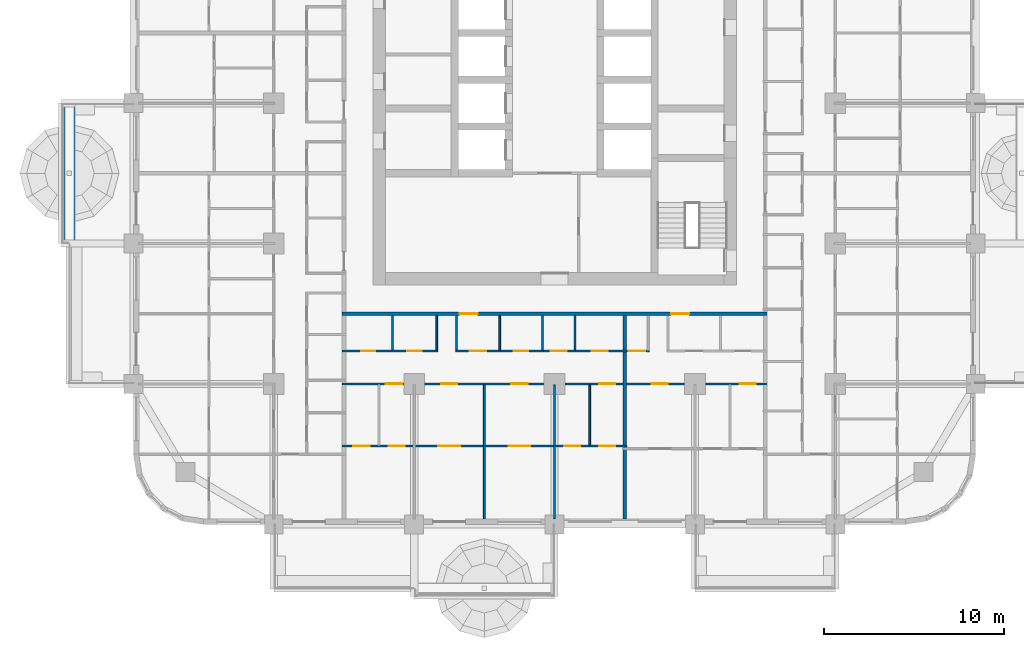
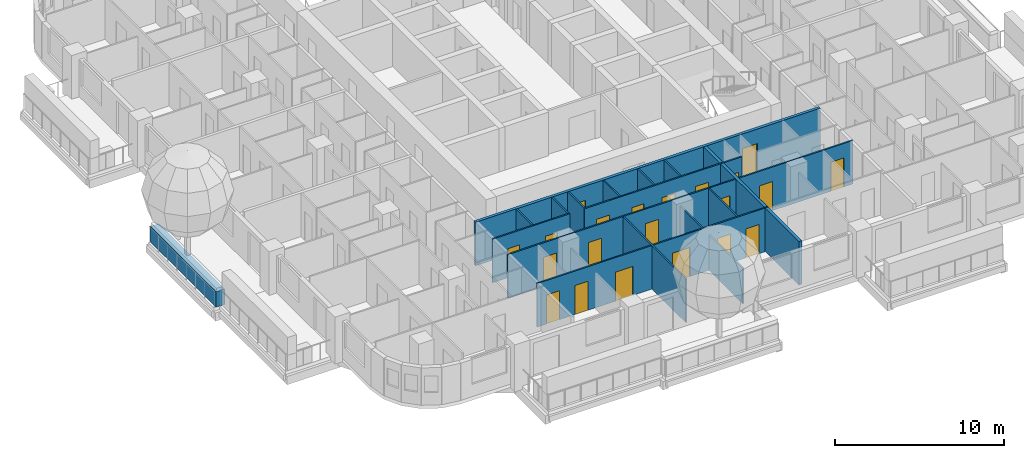
# One storey, part 4 of 18: 21 doors, 16 walls, 21 openings.
"""IFC4 building model written with IfcOpenShell, lengths in metres."""

from ifc_helpers import new_model, si_unit, direction, frame, frame_2d, origin, place, context, subcontext, project, spatial, rectangle, extrude, material, layer, layer_set, type_object, element, fill, save


model = new_model("IFC4")

# Units and contexts
model_context = context("Model", 3, precision=1e-05, world=origin(), true_north=direction((0.0, 1.0)))
body_context = subcontext(model_context, "Body", "Model", "MODEL_VIEW")
ifc_project = project(units=[si_unit("LENGTHUNIT", "METRE"), si_unit("AREAUNIT", "SQUARE_METRE"), si_unit("VOLUMEUNIT", "CUBIC_METRE"), si_unit("PLANEANGLEUNIT", "RADIAN"), si_unit("MASSUNIT", "GRAM", prefix="KILO")], contexts=[model_context])

# Site, building, storey
site_placement = place(None, origin())
site = spatial("IfcSite", under=ifc_project, at=site_placement, CompositionType="ELEMENT")
building_placement = place(site_placement, origin())
building = spatial("IfcBuilding", under=site, at=building_placement, Name="Ludao Terraces", CompositionType="ELEMENT")
storey_placement = place(building_placement, frame((0.0, 0.0, 26.300048828125)))
storey = spatial("IfcBuildingStorey", under=building, at=storey_placement, Name="L06", CompositionType="ELEMENT", Elevation=26.300048828125)

# Wall
ifc_material_1 = material(Name="Concrete C40", Category="concrete")
ifc_layer_1 = layer(ifc_material_1, 0.60009765625)
ifc_layer_set_1 = layer_set([ifc_layer_1], Name="ENV Planter trough 600")
wall_type_1 = type_object("IfcWallType", Name="ENV Planter trough 600", PredefinedType="USERDEFINED", material=ifc_layer_set_1)
wall_1_placement = place(storey_placement, frame((58.050048828125, 57.199951171875, 0.0), z_axis=(0.0, 0.0, 1.0), x_axis=(0.0, 1.0, 0.0)))
element("IfcWall", 1, at=wall_1_placement, inside=storey, type_object=wall_type_1, Name="PL-L06-W2", ObjectType="PLANTER", PredefinedType="USERDEFINED", context=body_context, shape_type="SweptSolid", body=[
    extrude(rectangle(XDim=7.800048828125, YDim=0.60009765625, at=frame_2d((3.89990234375, 0.0))), origin(), (0.0, 0.0, 1.0), 1.099853515625),
])

# Wall, openings, doors
ifc_material_2 = material(Name="Autoclaved aerated concrete block B06 A3.5", Category="concrete")
ifc_layer_2 = layer(ifc_material_2, 0.199951171875)
ifc_layer_set_2 = layer_set([ifc_layer_2], Name="INT Entrance wall 200")
wall_type_2 = type_object("IfcWallType", Name="INT Entrance wall 200", PredefinedType="PARTITIONING", material=ifc_layer_set_2)
wall_2_placement = place(storey_placement, frame((73.2001953125, 53.300048828125, 0.0), z_axis=(0.0, 0.0, 1.0), x_axis=(1.0, 0.0, 0.0)))
wall_2 = element("IfcWall", 2, at=wall_2_placement, inside=storey, type_object=wall_type_2, Name="PW-L06-PW017", PredefinedType="PARTITIONING", context=body_context, shape_type="SweptSolid", body=[
    extrude(rectangle(XDim=23.599853515625, YDim=0.199951171875, at=frame_2d((11.7998046875, 0.0))), origin(), (0.0, 0.0, 1.0), 3.14990234375),
])
opening_1_placement = place(wall_2_placement, frame((6.52490234375, 0.0, 0.0)))
opening_1 = element("IfcOpeningElement", 3, at=opening_1_placement, cuts=wall_2, Name="Opening R01-047", PredefinedType="OPENING", context=body_context, shape_type="SweptSolid", body=[
    extrude(rectangle(XDim=1.0, YDim=2.10009765625, at=frame_2d((0.5, 1.050048828125))), frame((0.0, 0.10986328125, 0.0), z_axis=(0.0, -1.0, 0.0), x_axis=(1.0, 0.0, 0.0)), (0.0, 0.0, 1.0), 0.219970703125),
])
opening_2_placement = place(wall_2_placement, frame((18.27490234375, 0.0, 0.0)))
opening_2 = element("IfcOpeningElement", 4, at=opening_2_placement, cuts=wall_2, Name="Opening R01-048", PredefinedType="OPENING", context=body_context, shape_type="SweptSolid", body=[
    extrude(rectangle(XDim=1.0, YDim=2.10009765625, at=frame_2d((0.5, 1.050048828125))), frame((0.0, 0.10986328125, 0.0), z_axis=(0.0, -1.0, 0.0), x_axis=(1.0, 0.0, 0.0)), (0.0, 0.0, 1.0), 0.219970703125),
])
ifc_material_3 = material(Name="Steel Q235", Category="steel")
door_type_1 = type_object("IfcDoorType", Name="INT Flat entrance door 1000", OperationType="SINGLE_SWING_LEFT", PredefinedType="DOOR", material=ifc_material_3)
door_1_placement = place(opening_1_placement, origin())
door_1 = element("IfcDoor", 5, at=door_1_placement, inside=storey, type_object=door_type_1, Name="DOOR 047", OperationType="SINGLE_SWING_LEFT", OverallHeight=2.10009765625, OverallWidth=1.0, PredefinedType="DOOR", context=body_context, shape_type="SweptSolid", body=[
    extrude(rectangle(XDim=1.0, YDim=2.10009765625, at=frame_2d((0.5, 1.050048828125))), frame((0.0, 0.02490234375, 0.0), z_axis=(0.0, -1.0, 0.0), x_axis=(1.0, 0.0, 0.0)), (0.0, 0.0, 1.0), 0.050048828125),
])
fill(opening_1, door_1)
door_2_placement = place(opening_2_placement, origin())
door_2 = element("IfcDoor", 6, at=door_2_placement, inside=storey, type_object=door_type_1, Name="DOOR 048", OperationType="SINGLE_SWING_LEFT", OverallHeight=2.10009765625, OverallWidth=1.0, PredefinedType="DOOR", context=body_context, shape_type="SweptSolid", body=[
    extrude(rectangle(XDim=1.0, YDim=2.10009765625, at=frame_2d((0.5, 1.050048828125))), frame((0.0, 0.02490234375, 0.0), z_axis=(0.0, -1.0, 0.0), x_axis=(1.0, 0.0, 0.0)), (0.0, 0.0, 1.0), 0.050048828125),
])
fill(opening_2, door_2)

ifc_material_4 = material(Name="Gypsum plasterboard", Category="gypsum")
ifc_layer_3 = layer(ifc_material_4, 0.012451171875, Category="gypsum")
ifc_material_5 = material(Name="Mineral wool")
ifc_layer_4 = layer(ifc_material_5, 0.06005859375, Name="insulation")
ifc_layer_5 = layer(ifc_material_3, 0.014892578125, Name="stud")
ifc_layer_6 = layer(ifc_material_4, 0.012451171875, Category="gypsum")
ifc_layer_set_3 = layer_set([ifc_layer_3, ifc_layer_4, ifc_layer_5, ifc_layer_6], Name="INT Partition 100")
wall_type_3 = type_object("IfcWallType", Name="INT Partition 100", PredefinedType="PARTITIONING", material=ifc_layer_set_3)
wall_3_placement = place(storey_placement, frame((73.2001953125, 45.949951171875, 0.0), z_axis=(0.0, 0.0, 1.0), x_axis=(1.0, 0.0, 0.0)))
wall_3 = element("IfcWall", 7, at=wall_3_placement, inside=storey, type_object=wall_type_3, Name="PW-L06-PW003", PredefinedType="PARTITIONING", context=body_context, shape_type="SweptSolid", body=[
    extrude(rectangle(XDim=15.7998046875, YDim=0.10009765625, at=frame_2d((7.89990234375, 0.0))), origin(), (0.0, 0.0, 1.0), 3.14990234375),
])
opening_3_placement = place(wall_3_placement, frame((0.625, 0.0, 0.0)))
opening_3 = element("IfcOpeningElement", 8, at=opening_3_placement, cuts=wall_3, Name="Opening R01-010", PredefinedType="OPENING", context=body_context, shape_type="SweptSolid", body=[
    extrude(rectangle(XDim=0.89990234375, YDim=2.10009765625, at=frame_2d((0.449951171875, 1.050048828125))), frame((0.0, 0.06005859375, 0.0), z_axis=(0.0, -1.0, 0.0), x_axis=(1.0, 0.0, 0.0)), (0.0, 0.0, 1.0), 0.1201171875),
])
opening_4_placement = place(wall_3_placement, frame((2.574951171875, 0.0, 0.0)))
opening_4 = element("IfcOpeningElement", 9, at=opening_4_placement, cuts=wall_3, Name="Opening R01-011", PredefinedType="OPENING", context=body_context, shape_type="SweptSolid", body=[
    extrude(rectangle(XDim=0.89990234375, YDim=2.10009765625, at=frame_2d((0.449951171875, 1.050048828125))), frame((0.0, 0.06005859375, 0.0), z_axis=(0.0, -1.0, 0.0), x_axis=(1.0, 0.0, 0.0)), (0.0, 0.0, 1.0), 0.1201171875),
])
opening_5_placement = place(wall_3_placement, frame((5.349853515625, 0.0, 0.0)))
opening_5 = element("IfcOpeningElement", 10, at=opening_5_placement, cuts=wall_3, Name="Opening R01-012", PredefinedType="OPENING", context=body_context, shape_type="SweptSolid", body=[
    extrude(rectangle(XDim=1.199951171875, YDim=2.10009765625, at=frame_2d((0.60009765625, 1.050048828125))), frame((0.0, 0.06005859375, 0.0), z_axis=(0.0, -1.0, 0.0), x_axis=(1.0, 0.0, 0.0)), (0.0, 0.0, 1.0), 0.1201171875),
])
opening_6_placement = place(wall_3_placement, frame((9.25, 0.0, 0.0)))
opening_6 = element("IfcOpeningElement", 11, at=opening_6_placement, cuts=wall_3, Name="Opening R01-013", PredefinedType="OPENING", context=body_context, shape_type="SweptSolid", body=[
    extrude(rectangle(XDim=1.199951171875, YDim=2.10009765625, at=frame_2d((0.60009765625, 1.050048828125))), frame((0.0, 0.06005859375, 0.0), z_axis=(0.0, -1.0, 0.0), x_axis=(1.0, 0.0, 0.0)), (0.0, 0.0, 1.0), 0.1201171875),
])
opening_7_placement = place(wall_3_placement, frame((12.324951171875, 0.0, 0.0)))
opening_7 = element("IfcOpeningElement", 12, at=opening_7_placement, cuts=wall_3, Name="Opening R01-014", PredefinedType="OPENING", context=body_context, shape_type="SweptSolid", body=[
    extrude(rectangle(XDim=0.89990234375, YDim=2.10009765625, at=frame_2d((0.449951171875, 1.050048828125))), frame((0.0, 0.06005859375, 0.0), z_axis=(0.0, -1.0, 0.0), x_axis=(1.0, 0.0, 0.0)), (0.0, 0.0, 1.0), 0.1201171875),
])
opening_8_placement = place(wall_3_placement, frame((14.27490234375, 0.0, 0.0)))
opening_8 = element("IfcOpeningElement", 13, at=opening_8_placement, cuts=wall_3, Name="Opening R01-015", PredefinedType="OPENING", context=body_context, shape_type="SweptSolid", body=[
    extrude(rectangle(XDim=0.89990234375, YDim=2.10009765625, at=frame_2d((0.449951171875, 1.050048828125))), frame((0.0, 0.06005859375, 0.0), z_axis=(0.0, -1.0, 0.0), x_axis=(1.0, 0.0, 0.0)), (0.0, 0.0, 1.0), 0.1201171875),
])
ifc_material_6 = material(Name="Timber door leaf", Category="wood")
door_type_2 = type_object("IfcDoorType", Name="INT Bathroom door 900", OperationType="SINGLE_SWING_LEFT", PredefinedType="DOOR", material=ifc_material_6)
door_3_placement = place(opening_3_placement, origin())
door_3 = element("IfcDoor", 14, at=door_3_placement, inside=storey, type_object=door_type_2, Name="DOOR 010", OperationType="SINGLE_SWING_LEFT", OverallHeight=2.10009765625, OverallWidth=0.89990234375, PredefinedType="DOOR", context=body_context, shape_type="SweptSolid", body=[
    extrude(rectangle(XDim=0.89990234375, YDim=2.10009765625, at=frame_2d((0.449951171875, 1.050048828125))), frame((0.0, 0.02490234375, 0.0), z_axis=(0.0, -1.0, 0.0), x_axis=(1.0, 0.0, 0.0)), (0.0, 0.0, 1.0), 0.050048828125),
])
fill(opening_3, door_3)
door_4_placement = place(opening_7_placement, origin())
door_4 = element("IfcDoor", 15, at=door_4_placement, inside=storey, type_object=door_type_2, Name="DOOR 014", OperationType="SINGLE_SWING_RIGHT", OverallHeight=2.10009765625, OverallWidth=0.89990234375, PredefinedType="DOOR", context=body_context, shape_type="SweptSolid", body=[
    extrude(rectangle(XDim=0.89990234375, YDim=2.10009765625, at=frame_2d((0.449951171875, 1.050048828125))), frame((0.0, 0.02490234375, 0.0), z_axis=(0.0, -1.0, 0.0), x_axis=(1.0, 0.0, 0.0)), (0.0, 0.0, 1.0), 0.050048828125),
])
fill(opening_7, door_4)
door_type_3 = type_object("IfcDoorType", Name="INT Double door 1200", OperationType="DOUBLE_DOOR_SINGLE_SWING", PredefinedType="DOOR", material=ifc_material_6)
door_5_placement = place(opening_5_placement, origin())
door_5 = element("IfcDoor", 16, at=door_5_placement, inside=storey, type_object=door_type_3, Name="DOOR 012", OperationType="DOUBLE_DOOR_SINGLE_SWING", OverallHeight=2.10009765625, OverallWidth=1.199951171875, PredefinedType="DOOR", context=body_context, shape_type="SweptSolid", body=[
    extrude(rectangle(XDim=1.199951171875, YDim=2.10009765625, at=frame_2d((0.60009765625, 1.050048828125))), frame((0.0, 0.02490234375, 0.0), z_axis=(0.0, -1.0, 0.0), x_axis=(1.0, 0.0, 0.0)), (0.0, 0.0, 1.0), 0.050048828125),
])
fill(opening_5, door_5)
door_6_placement = place(opening_6_placement, origin())
door_6 = element("IfcDoor", 17, at=door_6_placement, inside=storey, type_object=door_type_3, Name="DOOR 013", OperationType="DOUBLE_DOOR_SINGLE_SWING", OverallHeight=2.10009765625, OverallWidth=1.199951171875, PredefinedType="DOOR", context=body_context, shape_type="SweptSolid", body=[
    extrude(rectangle(XDim=1.199951171875, YDim=2.10009765625, at=frame_2d((0.60009765625, 1.050048828125))), frame((0.0, 0.02490234375, 0.0), z_axis=(0.0, -1.0, 0.0), x_axis=(1.0, 0.0, 0.0)), (0.0, 0.0, 1.0), 0.050048828125),
])
fill(opening_6, door_6)
door_type_4 = type_object("IfcDoorType", Name="INT Room door 900", OperationType="SINGLE_SWING_LEFT", PredefinedType="DOOR", material=ifc_material_6)
door_7_placement = place(opening_4_placement, origin())
door_7 = element("IfcDoor", 18, at=door_7_placement, inside=storey, type_object=door_type_4, Name="DOOR 011", OperationType="SINGLE_SWING_LEFT", OverallHeight=2.10009765625, OverallWidth=0.89990234375, PredefinedType="DOOR", context=body_context, shape_type="SweptSolid", body=[
    extrude(rectangle(XDim=0.89990234375, YDim=2.10009765625, at=frame_2d((0.449951171875, 1.050048828125))), frame((0.0, 0.02490234375, 0.0), z_axis=(0.0, -1.0, 0.0), x_axis=(1.0, 0.0, 0.0)), (0.0, 0.0, 1.0), 0.050048828125),
])
fill(opening_4, door_7)
door_8_placement = place(opening_8_placement, origin())
door_8 = element("IfcDoor", 19, at=door_8_placement, inside=storey, type_object=door_type_4, Name="DOOR 015", OperationType="SINGLE_SWING_RIGHT", OverallHeight=2.10009765625, OverallWidth=0.89990234375, PredefinedType="DOOR", context=body_context, shape_type="SweptSolid", body=[
    extrude(rectangle(XDim=0.89990234375, YDim=2.10009765625, at=frame_2d((0.449951171875, 1.050048828125))), frame((0.0, 0.02490234375, 0.0), z_axis=(0.0, -1.0, 0.0), x_axis=(1.0, 0.0, 0.0)), (0.0, 0.0, 1.0), 0.050048828125),
])
fill(opening_8, door_8)

wall_4_placement = place(storey_placement, frame((73.2001953125, 49.39990234375, 0.0), z_axis=(0.0, 0.0, 1.0), x_axis=(1.0, 0.0, 0.0)))
wall_4 = element("IfcWall", 20, at=wall_4_placement, inside=storey, type_object=wall_type_3, Name="PW-L06-PW008", PredefinedType="PARTITIONING", context=body_context, shape_type="SweptSolid", body=[
    extrude(rectangle(XDim=23.599853515625, YDim=0.10009765625, at=frame_2d((11.7998046875, 0.0))), origin(), (0.0, 0.0, 1.0), 3.14990234375),
])
opening_9_placement = place(wall_4_placement, frame((2.4248046875, 0.0, 0.0)))
opening_9 = element("IfcOpeningElement", 21, at=opening_9_placement, cuts=wall_4, Name="Opening R01-025", PredefinedType="OPENING", context=body_context, shape_type="SweptSolid", body=[
    extrude(rectangle(XDim=0.89990234375, YDim=2.10009765625, at=frame_2d((0.449951171875, 1.050048828125))), frame((0.0, 0.06005859375, 0.0), z_axis=(0.0, -1.0, 0.0), x_axis=(1.0, 0.0, 0.0)), (0.0, 0.0, 1.0), 0.1201171875),
])
opening_10_placement = place(wall_4_placement, frame((5.5, 0.0, 0.0)))
opening_10 = element("IfcOpeningElement", 22, at=opening_10_placement, cuts=wall_4, Name="Opening R01-026", PredefinedType="OPENING", context=body_context, shape_type="SweptSolid", body=[
    extrude(rectangle(XDim=0.89990234375, YDim=2.10009765625, at=frame_2d((0.449951171875, 1.050048828125))), frame((0.0, 0.06005859375, 0.0), z_axis=(0.0, -1.0, 0.0), x_axis=(1.0, 0.0, 0.0)), (0.0, 0.0, 1.0), 0.1201171875),
])
opening_11_placement = place(wall_4_placement, frame((9.39990234375, 0.0, 0.0)))
opening_11 = element("IfcOpeningElement", 23, at=opening_11_placement, cuts=wall_4, Name="Opening R01-027", PredefinedType="OPENING", context=body_context, shape_type="SweptSolid", body=[
    extrude(rectangle(XDim=0.89990234375, YDim=2.10009765625, at=frame_2d((0.449951171875, 1.050048828125))), frame((0.0, 0.06005859375, 0.0), z_axis=(0.0, -1.0, 0.0), x_axis=(1.0, 0.0, 0.0)), (0.0, 0.0, 1.0), 0.1201171875),
])
opening_12_placement = place(wall_4_placement, frame((14.27490234375, 0.0, 0.0)))
opening_12 = element("IfcOpeningElement", 24, at=opening_12_placement, cuts=wall_4, Name="Opening R01-028", PredefinedType="OPENING", context=body_context, shape_type="SweptSolid", body=[
    extrude(rectangle(XDim=0.89990234375, YDim=2.10009765625, at=frame_2d((0.449951171875, 1.050048828125))), frame((0.0, 0.06005859375, 0.0), z_axis=(0.0, -1.0, 0.0), x_axis=(1.0, 0.0, 0.0)), (0.0, 0.0, 1.0), 0.1201171875),
])
opening_13_placement = place(wall_4_placement, frame((17.199951171875, 0.0, 0.0)))
opening_13 = element("IfcOpeningElement", 25, at=opening_13_placement, cuts=wall_4, Name="Opening R01-029", PredefinedType="OPENING", context=body_context, shape_type="SweptSolid", body=[
    extrude(rectangle(XDim=0.89990234375, YDim=2.10009765625, at=frame_2d((0.449951171875, 1.050048828125))), frame((0.0, 0.06005859375, 0.0), z_axis=(0.0, -1.0, 0.0), x_axis=(1.0, 0.0, 0.0)), (0.0, 0.0, 1.0), 0.1201171875),
])
opening_14_placement = place(wall_4_placement, frame((22.074951171875, 0.0, 0.0)))
opening_14 = element("IfcOpeningElement", 26, at=opening_14_placement, cuts=wall_4, Name="Opening R01-030", PredefinedType="OPENING", context=body_context, shape_type="SweptSolid", body=[
    extrude(rectangle(XDim=0.89990234375, YDim=2.10009765625, at=frame_2d((0.449951171875, 1.050048828125))), frame((0.0, 0.06005859375, 0.0), z_axis=(0.0, -1.0, 0.0), x_axis=(1.0, 0.0, 0.0)), (0.0, 0.0, 1.0), 0.1201171875),
])
door_9_placement = place(opening_9_placement, origin())
door_9 = element("IfcDoor", 27, at=door_9_placement, inside=storey, type_object=door_type_4, Name="DOOR 025", OperationType="SINGLE_SWING_RIGHT", OverallHeight=2.10009765625, OverallWidth=0.89990234375, PredefinedType="DOOR", context=body_context, shape_type="SweptSolid", body=[
    extrude(rectangle(XDim=0.89990234375, YDim=2.10009765625, at=frame_2d((0.449951171875, 1.050048828125))), frame((0.0, 0.02490234375, 0.0), z_axis=(0.0, -1.0, 0.0), x_axis=(1.0, 0.0, 0.0)), (0.0, 0.0, 1.0), 0.050048828125),
])
fill(opening_9, door_9)
door_10_placement = place(opening_10_placement, origin())
door_10 = element("IfcDoor", 28, at=door_10_placement, inside=storey, type_object=door_type_4, Name="DOOR 026", OperationType="SINGLE_SWING_RIGHT", OverallHeight=2.10009765625, OverallWidth=0.89990234375, PredefinedType="DOOR", context=body_context, shape_type="SweptSolid", body=[
    extrude(rectangle(XDim=0.89990234375, YDim=2.10009765625, at=frame_2d((0.449951171875, 1.050048828125))), frame((0.0, 0.02490234375, 0.0), z_axis=(0.0, -1.0, 0.0), x_axis=(1.0, 0.0, 0.0)), (0.0, 0.0, 1.0), 0.050048828125),
])
fill(opening_10, door_10)
door_11_placement = place(opening_11_placement, origin())
door_11 = element("IfcDoor", 29, at=door_11_placement, inside=storey, type_object=door_type_4, Name="DOOR 027", OperationType="SINGLE_SWING_RIGHT", OverallHeight=2.10009765625, OverallWidth=0.89990234375, PredefinedType="DOOR", context=body_context, shape_type="SweptSolid", body=[
    extrude(rectangle(XDim=0.89990234375, YDim=2.10009765625, at=frame_2d((0.449951171875, 1.050048828125))), frame((0.0, 0.02490234375, 0.0), z_axis=(0.0, -1.0, 0.0), x_axis=(1.0, 0.0, 0.0)), (0.0, 0.0, 1.0), 0.050048828125),
])
fill(opening_11, door_11)
door_12_placement = place(opening_12_placement, origin())
door_12 = element("IfcDoor", 30, at=door_12_placement, inside=storey, type_object=door_type_4, Name="DOOR 028", OperationType="SINGLE_SWING_LEFT", OverallHeight=2.10009765625, OverallWidth=0.89990234375, PredefinedType="DOOR", context=body_context, shape_type="SweptSolid", body=[
    extrude(rectangle(XDim=0.89990234375, YDim=2.10009765625, at=frame_2d((0.449951171875, 1.050048828125))), frame((0.0, 0.02490234375, 0.0), z_axis=(0.0, -1.0, 0.0), x_axis=(1.0, 0.0, 0.0)), (0.0, 0.0, 1.0), 0.050048828125),
])
fill(opening_12, door_12)
door_13_placement = place(opening_13_placement, origin())
door_13 = element("IfcDoor", 31, at=door_13_placement, inside=storey, type_object=door_type_4, Name="DOOR 029", OperationType="SINGLE_SWING_RIGHT", OverallHeight=2.10009765625, OverallWidth=0.89990234375, PredefinedType="DOOR", context=body_context, shape_type="SweptSolid", body=[
    extrude(rectangle(XDim=0.89990234375, YDim=2.10009765625, at=frame_2d((0.449951171875, 1.050048828125))), frame((0.0, 0.02490234375, 0.0), z_axis=(0.0, -1.0, 0.0), x_axis=(1.0, 0.0, 0.0)), (0.0, 0.0, 1.0), 0.050048828125),
])
fill(opening_13, door_13)
door_14_placement = place(opening_14_placement, origin())
door_14 = element("IfcDoor", 32, at=door_14_placement, inside=storey, type_object=door_type_4, Name="DOOR 030", OperationType="SINGLE_SWING_LEFT", OverallHeight=2.10009765625, OverallWidth=0.89990234375, PredefinedType="DOOR", context=body_context, shape_type="SweptSolid", body=[
    extrude(rectangle(XDim=0.89990234375, YDim=2.10009765625, at=frame_2d((0.449951171875, 1.050048828125))), frame((0.0, 0.02490234375, 0.0), z_axis=(0.0, -1.0, 0.0), x_axis=(1.0, 0.0, 0.0)), (0.0, 0.0, 1.0), 0.050048828125),
])
fill(opening_14, door_14)

wall_5_placement = place(storey_placement, frame((73.2001953125, 51.22998046875, 0.0), z_axis=(0.0, 0.0, 1.0), x_axis=(1.0, 0.0, 0.0)))
wall_5 = element("IfcWall", 33, at=wall_5_placement, inside=storey, type_object=wall_type_3, Name="PW-L06-PW012", PredefinedType="PARTITIONING", context=body_context, shape_type="SweptSolid", body=[
    extrude(rectangle(XDim=5.2998046875, YDim=0.10009765625, at=frame_2d((2.64990234375, 0.0))), origin(), (0.0, 0.0, 1.0), 3.14990234375),
])
opening_15_placement = place(wall_5_placement, frame((1.0498046875, 0.0, 0.0)))
opening_15 = element("IfcOpeningElement", 34, at=opening_15_placement, cuts=wall_5, Name="Opening R01-032", PredefinedType="OPENING", context=body_context, shape_type="SweptSolid", body=[
    extrude(rectangle(XDim=0.800048828125, YDim=2.10009765625, at=frame_2d((0.39990234375, 1.050048828125))), frame((0.0, 0.06005859375, 0.0), z_axis=(0.0, -1.0, 0.0), x_axis=(1.0, 0.0, 0.0)), (0.0, 0.0, 1.0), 0.1201171875),
])
opening_16_placement = place(wall_5_placement, frame((3.625, 0.0, 0.0)))
opening_16 = element("IfcOpeningElement", 35, at=opening_16_placement, cuts=wall_5, Name="Opening R01-033", PredefinedType="OPENING", context=body_context, shape_type="SweptSolid", body=[
    extrude(rectangle(XDim=0.800048828125, YDim=2.10009765625, at=frame_2d((0.39990234375, 1.050048828125))), frame((0.0, 0.06005859375, 0.0), z_axis=(0.0, -1.0, 0.0), x_axis=(1.0, 0.0, 0.0)), (0.0, 0.0, 1.0), 0.1201171875),
])
door_type_5 = type_object("IfcDoorType", Name="INT Store door 800", OperationType="SINGLE_SWING_LEFT", PredefinedType="DOOR", material=ifc_material_6)
door_15_placement = place(opening_15_placement, origin())
door_15 = element("IfcDoor", 36, at=door_15_placement, inside=storey, type_object=door_type_5, Name="DOOR 032", OperationType="SINGLE_SWING_LEFT", OverallHeight=2.10009765625, OverallWidth=0.800048828125, PredefinedType="DOOR", context=body_context, shape_type="SweptSolid", body=[
    extrude(rectangle(XDim=0.800048828125, YDim=2.10009765625, at=frame_2d((0.39990234375, 1.050048828125))), frame((0.0, 0.02490234375, 0.0), z_axis=(0.0, -1.0, 0.0), x_axis=(1.0, 0.0, 0.0)), (0.0, 0.0, 1.0), 0.050048828125),
])
fill(opening_15, door_15)
door_16_placement = place(opening_16_placement, origin())
door_16 = element("IfcDoor", 37, at=door_16_placement, inside=storey, type_object=door_type_5, Name="DOOR 033", OperationType="SINGLE_SWING_LEFT", OverallHeight=2.10009765625, OverallWidth=0.800048828125, PredefinedType="DOOR", context=body_context, shape_type="SweptSolid", body=[
    extrude(rectangle(XDim=0.800048828125, YDim=2.10009765625, at=frame_2d((0.39990234375, 1.050048828125))), frame((0.0, 0.02490234375, 0.0), z_axis=(0.0, -1.0, 0.0), x_axis=(1.0, 0.0, 0.0)), (0.0, 0.0, 1.0), 0.050048828125),
])
fill(opening_16, door_16)

wall_6_placement = place(storey_placement, frame((79.5, 51.22998046875, 0.0), z_axis=(0.0, 0.0, 1.0), x_axis=(1.0, 0.0, 0.0)))
wall_6 = element("IfcWall", 38, at=wall_6_placement, inside=storey, type_object=wall_type_3, Name="PW-L06-PW013", PredefinedType="PARTITIONING", context=body_context, shape_type="SweptSolid", body=[
    extrude(rectangle(XDim=10.75, YDim=0.10009765625, at=frame_2d((5.375, 0.0))), origin(), (0.0, 0.0, 1.0), 3.14990234375),
])
opening_17_placement = place(wall_6_placement, frame((0.800048828125, 0.0, 0.0)))
opening_17 = element("IfcOpeningElement", 39, at=opening_17_placement, cuts=wall_6, Name="Opening R01-034", PredefinedType="OPENING", context=body_context, shape_type="SweptSolid", body=[
    extrude(rectangle(XDim=0.89990234375, YDim=2.10009765625, at=frame_2d((0.449951171875, 1.050048828125))), frame((0.0, 0.06005859375, 0.0), z_axis=(0.0, -1.0, 0.0), x_axis=(1.0, 0.0, 0.0)), (0.0, 0.0, 1.0), 0.1201171875),
])
opening_18_placement = place(wall_6_placement, frame((3.239990234375, 0.0, 0.0)))
opening_18 = element("IfcOpeningElement", 40, at=opening_18_placement, cuts=wall_6, Name="Opening R01-035", PredefinedType="OPENING", context=body_context, shape_type="SweptSolid", body=[
    extrude(rectangle(XDim=0.800048828125, YDim=2.10009765625, at=frame_2d((0.39990234375, 1.050048828125))), frame((0.0, 0.06005859375, 0.0), z_axis=(0.0, -1.0, 0.0), x_axis=(1.0, 0.0, 0.0)), (0.0, 0.0, 1.0), 0.1201171875),
])
opening_19_placement = place(wall_6_placement, frame((5.280029296875, 0.0, 0.0)))
opening_19 = element("IfcOpeningElement", 41, at=opening_19_placement, cuts=wall_6, Name="Opening R01-036", PredefinedType="OPENING", context=body_context, shape_type="SweptSolid", body=[
    extrude(rectangle(XDim=0.89990234375, YDim=2.10009765625, at=frame_2d((0.449951171875, 1.050048828125))), frame((0.0, 0.06005859375, 0.0), z_axis=(0.0, -1.0, 0.0), x_axis=(1.0, 0.0, 0.0)), (0.0, 0.0, 1.0), 0.1201171875),
])
opening_20_placement = place(wall_6_placement, frame((7.565185546875, 0.0, 0.0)))
opening_20 = element("IfcOpeningElement", 42, at=opening_20_placement, cuts=wall_6, Name="Opening R01-037", PredefinedType="OPENING", context=body_context, shape_type="SweptSolid", body=[
    extrude(rectangle(XDim=0.89990234375, YDim=2.10009765625, at=frame_2d((0.449951171875, 1.050048828125))), frame((0.0, 0.06005859375, 0.0), z_axis=(0.0, -1.0, 0.0), x_axis=(1.0, 0.0, 0.0)), (0.0, 0.0, 1.0), 0.1201171875),
])
opening_21_placement = place(wall_6_placement, frame((9.625, 0.0, 0.0)))
opening_21 = element("IfcOpeningElement", 43, at=opening_21_placement, cuts=wall_6, Name="Opening R01-038", PredefinedType="OPENING", context=body_context, shape_type="SweptSolid", body=[
    extrude(rectangle(XDim=0.89990234375, YDim=2.10009765625, at=frame_2d((0.449951171875, 1.050048828125))), frame((0.0, 0.06005859375, 0.0), z_axis=(0.0, -1.0, 0.0), x_axis=(1.0, 0.0, 0.0)), (0.0, 0.0, 1.0), 0.1201171875),
])
door_17_placement = place(opening_17_placement, origin())
door_17 = element("IfcDoor", 44, at=door_17_placement, inside=storey, type_object=door_type_2, Name="DOOR 034", OperationType="SINGLE_SWING_LEFT", OverallHeight=2.10009765625, OverallWidth=0.89990234375, PredefinedType="DOOR", context=body_context, shape_type="SweptSolid", body=[
    extrude(rectangle(XDim=0.89990234375, YDim=2.10009765625, at=frame_2d((0.449951171875, 1.050048828125))), frame((0.0, 0.02490234375, 0.0), z_axis=(0.0, -1.0, 0.0), x_axis=(1.0, 0.0, 0.0)), (0.0, 0.0, 1.0), 0.050048828125),
])
fill(opening_17, door_17)
door_18_placement = place(opening_19_placement, origin())
door_18 = element("IfcDoor", 45, at=door_18_placement, inside=storey, type_object=door_type_2, Name="DOOR 036", OperationType="SINGLE_SWING_LEFT", OverallHeight=2.10009765625, OverallWidth=0.89990234375, PredefinedType="DOOR", context=body_context, shape_type="SweptSolid", body=[
    extrude(rectangle(XDim=0.89990234375, YDim=2.10009765625, at=frame_2d((0.449951171875, 1.050048828125))), frame((0.0, 0.02490234375, 0.0), z_axis=(0.0, -1.0, 0.0), x_axis=(1.0, 0.0, 0.0)), (0.0, 0.0, 1.0), 0.050048828125),
])
fill(opening_19, door_18)
door_19_placement = place(opening_21_placement, origin())
door_19 = element("IfcDoor", 46, at=door_19_placement, inside=storey, type_object=door_type_2, Name="DOOR 038", OperationType="SINGLE_SWING_LEFT", OverallHeight=2.10009765625, OverallWidth=0.89990234375, PredefinedType="DOOR", context=body_context, shape_type="SweptSolid", body=[
    extrude(rectangle(XDim=0.89990234375, YDim=2.10009765625, at=frame_2d((0.449951171875, 1.050048828125))), frame((0.0, 0.02490234375, 0.0), z_axis=(0.0, -1.0, 0.0), x_axis=(1.0, 0.0, 0.0)), (0.0, 0.0, 1.0), 0.050048828125),
])
fill(opening_21, door_19)
door_20_placement = place(opening_20_placement, origin())
door_20 = element("IfcDoor", 47, at=door_20_placement, inside=storey, type_object=door_type_4, Name="DOOR 037", OperationType="SINGLE_SWING_LEFT", OverallHeight=2.10009765625, OverallWidth=0.89990234375, PredefinedType="DOOR", context=body_context, shape_type="SweptSolid", body=[
    extrude(rectangle(XDim=0.89990234375, YDim=2.10009765625, at=frame_2d((0.449951171875, 1.050048828125))), frame((0.0, 0.02490234375, 0.0), z_axis=(0.0, -1.0, 0.0), x_axis=(1.0, 0.0, 0.0)), (0.0, 0.0, 1.0), 0.050048828125),
])
fill(opening_20, door_20)
door_21_placement = place(opening_18_placement, origin())
door_21 = element("IfcDoor", 48, at=door_21_placement, inside=storey, type_object=door_type_5, Name="DOOR 035", OperationType="SINGLE_SWING_LEFT", OverallHeight=2.10009765625, OverallWidth=0.800048828125, PredefinedType="DOOR", context=body_context, shape_type="SweptSolid", body=[
    extrude(rectangle(XDim=0.800048828125, YDim=2.10009765625, at=frame_2d((0.39990234375, 1.050048828125))), frame((0.0, 0.02490234375, 0.0), z_axis=(0.0, -1.0, 0.0), x_axis=(1.0, 0.0, 0.0)), (0.0, 0.0, 1.0), 0.050048828125),
])
fill(opening_18, door_21)

# Walls
for number, where, z_axis, x_axis, name in (
    (49, (76.0, 51.280029296875, 0.0), (0.0, 0.0, 1.0), (0.0, 1.0, 0.0), "PW-L06-PW087"),
    (50, (78.449951171875, 51.280029296875, 0.0), (0.0, 0.0, 1.0), (0.0, 1.0, 0.0), "PW-L06-PW090"),
    (51, (79.550048828125, 51.280029296875, 0.0), (0.0, 0.0, 1.0), (0.0, 1.0, 0.0), "PW-L06-PW091"),
):
    element("IfcWall", number, at=place(storey_placement, frame(where, z_axis=z_axis, x_axis=x_axis)), inside=storey, type_object=wall_type_3, Name=name, PredefinedType="PARTITIONING", context=body_context, shape_type="SweptSolid", body=[
        extrude(rectangle(XDim=1.920166015625, YDim=0.10009765625, at=frame_2d((0.9599609375, 0.0))), origin(), (0.0, 0.0, 1.0), 3.14990234375),
    ])
wall_7_placement = place(storey_placement, frame((81.10009765625, 41.900146484375, 0.0), z_axis=(0.0, 0.0, 1.0), x_axis=(0.0, 1.0, 0.0)))
element("IfcWall", 52, at=wall_7_placement, inside=storey, type_object=wall_type_3, Name="PW-L06-PW092", PredefinedType="PARTITIONING", context=body_context, shape_type="SweptSolid", body=[
    extrude(rectangle(XDim=7.449951171875, YDim=0.10009765625, at=frame_2d((3.72509765625, 0.0))), origin(), (0.0, 0.0, 1.0), 3.14990234375),
])
for number, where, z_axis, x_axis, name in (
    (53, (81.949951171875, 51.280029296875, 0.0), (0.0, 0.0, 1.0), (0.0, 1.0, 0.0), "PW-L06-PW094"),
    (54, (84.330078125, 51.280029296875, 0.0), (0.0, 0.0, 1.0), (0.0, 1.0, 0.0), "PW-L06-PW095"),
):
    element("IfcWall", number, at=place(storey_placement, frame(where, z_axis=z_axis, x_axis=x_axis)), inside=storey, type_object=wall_type_3, Name=name, PredefinedType="PARTITIONING", context=body_context, shape_type="SweptSolid", body=[
        extrude(rectangle(XDim=1.920166015625, YDim=0.10009765625, at=frame_2d((0.9599609375, 0.0))), origin(), (0.0, 0.0, 1.0), 3.14990234375),
    ])
wall_8_placement = place(storey_placement, frame((85.0, 41.900146484375, 0.0), z_axis=(0.0, 0.0, 1.0), x_axis=(0.0, 1.0, 0.0)))
element("IfcWall", 55, at=wall_8_placement, inside=storey, type_object=wall_type_3, Name="PW-L06-PW096", PredefinedType="PARTITIONING", context=body_context, shape_type="SweptSolid", body=[
    extrude(rectangle(XDim=7.449951171875, YDim=0.10009765625, at=frame_2d((3.72509765625, 0.0))), origin(), (0.0, 0.0, 1.0), 2.5498046875),
])
wall_9_placement = place(storey_placement, frame((86.1298828125, 51.280029296875, 0.0), z_axis=(0.0, 0.0, 1.0), x_axis=(0.0, 1.0, 0.0)))
element("IfcWall", 56, at=wall_9_placement, inside=storey, type_object=wall_type_3, Name="PW-L06-PW098", PredefinedType="PARTITIONING", context=body_context, shape_type="SweptSolid", body=[
    extrude(rectangle(XDim=1.920166015625, YDim=0.10009765625, at=frame_2d((0.9599609375, 0.0))), origin(), (0.0, 0.0, 1.0), 3.14990234375),
])
wall_10_placement = place(storey_placement, frame((86.949951171875, 46.0, 0.0), z_axis=(0.0, 0.0, 1.0), x_axis=(0.0, 1.0, 0.0)))
element("IfcWall", 57, at=wall_10_placement, inside=storey, type_object=wall_type_3, Name="PW-L06-PW100", PredefinedType="PARTITIONING", context=body_context, shape_type="SweptSolid", body=[
    extrude(rectangle(XDim=3.35009765625, YDim=0.10009765625, at=frame_2d((1.675048828125, 0.0))), origin(), (0.0, 0.0, 1.0), 3.14990234375),
])
ifc_layer_7 = layer(ifc_material_2, 0.199951171875)
ifc_layer_set_4 = layer_set([ifc_layer_7], Name="INT Party wall 200")
wall_type_4 = type_object("IfcWallType", Name="INT Party wall 200", PredefinedType="PARTITIONING", material=ifc_layer_set_4)
wall_11_placement = place(storey_placement, frame((88.89990234375, 41.900146484375, 0.0), z_axis=(0.0, 0.0, 1.0), x_axis=(0.0, 1.0, 0.0)))
element("IfcWall", 58, at=wall_11_placement, inside=storey, type_object=wall_type_4, Name="PW-L06-PW101", PredefinedType="PARTITIONING", context=body_context, shape_type="SweptSolid", body=[
    extrude(rectangle(XDim=11.300048828125, YDim=0.199951171875, at=frame_2d((5.64990234375, 0.0))), origin(), (0.0, 0.0, 1.0), 3.14990234375),
])

save(model, "model.ifc")
